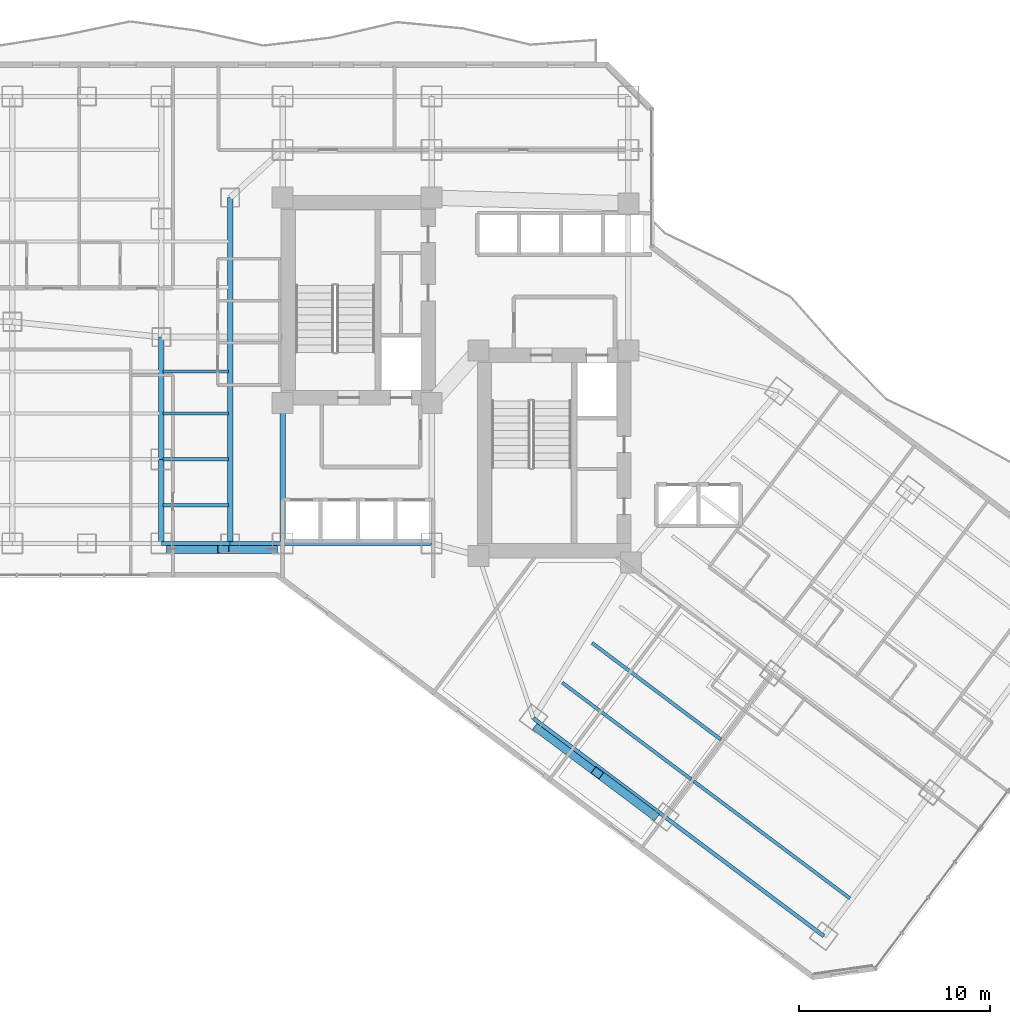
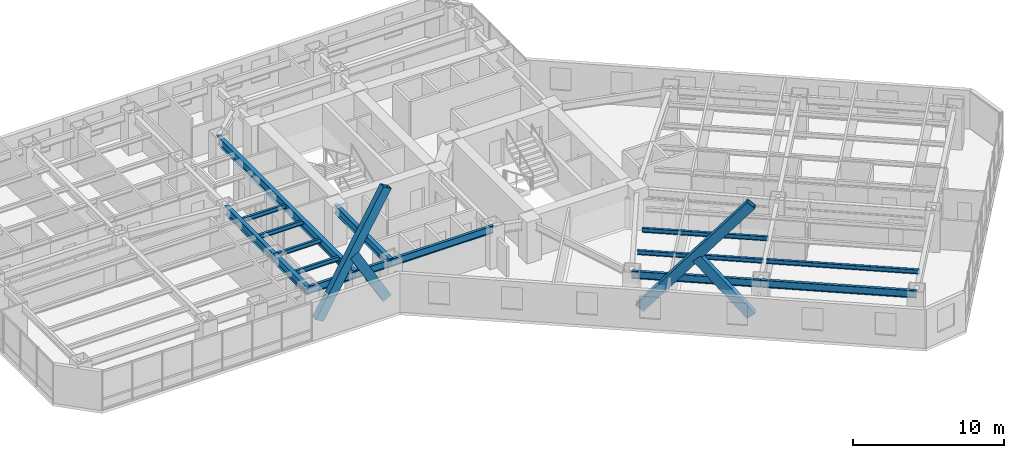
# One storey, part 7 of 33: 16 beams, 4 members.
"""IFC4 building model written with IfcOpenShell, lengths in metres."""

from ifc_helpers import new_model, si_unit, direction, frame, origin, origin_2d, place, context, subcontext, project, spatial, hollow_rectangle, i_section, extrude, material, material_profile, profile_set, type_object, element, save


model = new_model("IFC4")

# Units and contexts
model_context = context("Model", 3, precision=1e-05, world=origin(), true_north=direction((0.0, 1.0)))
body_context = subcontext(model_context, "Body", "Model", "MODEL_VIEW")
ifc_project = project(units=[si_unit("LENGTHUNIT", "METRE"), si_unit("AREAUNIT", "SQUARE_METRE"), si_unit("VOLUMEUNIT", "CUBIC_METRE"), si_unit("PLANEANGLEUNIT", "RADIAN"), si_unit("MASSUNIT", "GRAM", prefix="KILO")], contexts=[model_context])

# Site, building, storey
site_placement = place(None, origin())
site = spatial("IfcSite", under=ifc_project, at=site_placement, CompositionType="ELEMENT")
building_placement = place(site_placement, origin())
building = spatial("IfcBuilding", under=site, at=building_placement, Name="Hatsunagi Terrace Concourse", CompositionType="ELEMENT")
storey_placement = place(building_placement, frame((0.0, 0.0, 43.300048828125)))
storey = spatial("IfcBuildingStorey", under=building, at=storey_placement, Name="L10", CompositionType="ELEMENT", Elevation=43.300048828125)

# Beams
ifc_material_1 = material(Name="Steel SN490B", Category="steel")
ifc_material_profile_1 = material_profile(ifc_material_1, i_section(OverallWidth=0.300048828125, OverallDepth=0.699951171875, WebThickness=0.012939453125, FlangeThickness=0.02392578125, FilletRadius=0.02197265625, at=origin_2d()), Name="H-700x300x13x24")
ifc_profile_set_1 = profile_set([ifc_material_profile_1], Name="Steel SN490B")
beam_type_1 = type_object("IfcBeamType", Name="HotelFloorGirder_H_700x300", PredefinedType="BEAM", material=ifc_profile_set_1)
beam_1_placement = place(storey_placement, frame((25.550048828125, 25.199951171875, 2.780029296875), z_axis=(0.0, 1.0, 0.0), x_axis=(-1.0, 0.0, 0.0)))
element("IfcBeam", 1, at=beam_1_placement, inside=storey, type_object=beam_type_1, Name="Beam G-04 BM-L10-K1CA", PredefinedType="BEAM", context=body_context, shape_type="SweptSolid", body=[
    extrude(i_section(OverallWidth=0.300048828125, OverallDepth=0.699951171875, WebThickness=0.012939453125, FlangeThickness=0.02392578125, FilletRadius=0.02197265625, at=origin_2d()), origin(), (0.0, 0.0, 1.0), 7.35009765625),
])
beam_2_placement = place(storey_placement, frame((22.800048828125, 25.199951171875, 2.780029296875), z_axis=(0.0, 1.0, 0.0), x_axis=(-1.0, 0.0, 0.0)))
element("IfcBeam", 2, at=beam_2_placement, inside=storey, type_object=beam_type_1, Name="Beam G-04 BM-L10-CWNS", PredefinedType="BEAM", context=body_context, shape_type="SweptSolid", body=[
    extrude(i_section(OverallWidth=0.300048828125, OverallDepth=0.699951171875, WebThickness=0.012939453125, FlangeThickness=0.02392578125, FilletRadius=0.02197265625, at=origin_2d()), origin(), (0.0, 0.0, 1.0), 18.10009765625),
])
beam_3_placement = place(storey_placement, frame((19.199951171875, 25.199951171875, 2.780029296875), z_axis=(0.0, 1.0, 0.0), x_axis=(-1.0, 0.0, 0.0)))
element("IfcBeam", 3, at=beam_3_placement, inside=storey, type_object=beam_type_1, Name="Beam G-04 BM-L10-NS-19-25", PredefinedType="BEAM", context=body_context, shape_type="SweptSolid", body=[
    extrude(i_section(OverallWidth=0.300048828125, OverallDepth=0.699951171875, WebThickness=0.012939453125, FlangeThickness=0.02392578125, FilletRadius=0.02197265625, at=origin_2d()), origin(), (0.0, 0.0, 1.0), 4.400146484375),
])
beam_4_placement = place(storey_placement, frame((19.199951171875, 29.60009765625, 2.780029296875), z_axis=(0.0, 1.0, 0.0), x_axis=(-1.0, 0.0, 0.0)))
element("IfcBeam", 4, at=beam_4_placement, inside=storey, type_object=beam_type_1, Name="Beam G-04 BM-L10-NS-19-29", PredefinedType="BEAM", context=body_context, shape_type="SweptSolid", body=[
    extrude(i_section(OverallWidth=0.300048828125, OverallDepth=0.699951171875, WebThickness=0.012939453125, FlangeThickness=0.02392578125, FilletRadius=0.02197265625, at=origin_2d()), origin(), (0.0, 0.0, 1.0), 6.39990234375),
])
ifc_material_2 = material(Name="Steel SN490B", Category="steel")
ifc_material_profile_2 = material_profile(ifc_material_2, i_section(OverallWidth=0.175048828125, OverallDepth=0.35009765625, WebThickness=0.007080078125, FlangeThickness=0.010986328125, FilletRadius=0.012939453125, at=origin_2d()), Name="H-350x175x7x11")
ifc_profile_set_2 = profile_set([ifc_material_profile_2], Name="Steel SN490B")
beam_type_2 = type_object("IfcBeamType", Name="HotelJoist_H_350x175", PredefinedType="JOIST", material=ifc_profile_set_2)
for number, where, z_axis, x_axis, name in (
    (5, (19.284912109375, 27.199951171875, 2.954833984375), (1.0, 0.0, 0.0), (0.0, 1.0, 0.0), "Beam J-02 J-L10-W-19-272"),
    (6, (19.284912109375, 29.60009765625, 2.954833984375), (1.0, 0.0, 0.0), (0.0, 1.0, 0.0), "Beam J-02 J-L10-W-19-296"),
    (7, (19.284912109375, 32.0, 2.954833984375), (1.0, 0.0, 0.0), (0.0, 1.0, 0.0), "Beam J-02 J-L10-W-19-320"),
    (8, (19.284912109375, 34.199951171875, 2.954833984375), (1.0, 0.0, 0.0), (0.0, 1.0, 0.0), "Beam J-02 J-L10-W-19-342"),
):
    element("IfcBeam", number, at=place(storey_placement, frame(where, z_axis=z_axis, x_axis=x_axis)), inside=storey, type_object=beam_type_2, Name=name, PredefinedType="JOIST", context=body_context, shape_type="SweptSolid", body=[
        extrude(i_section(OverallWidth=0.175048828125, OverallDepth=0.35009765625, WebThickness=0.007080078125, FlangeThickness=0.010986328125, FilletRadius=0.012939453125, at=origin_2d()), origin(), (0.0, 0.0, 1.0), 3.43017578125),
    ])
for number, where, z_axis, x_axis, name in (
    (9, (40.18798828125, 17.908935546875, 2.954833984375), (0.800003475366, -0.59999536615, 0.0), (0.59999536615, 0.800003475366, 0.0), "Beam J-02 J-L10-SE-2-46"),
    (10, (41.748046875, 19.989013671875, 2.954833984375), (0.799989573921, -0.600013901187, 0.0), (0.600013901187, 0.799989573921, 0.0), "Beam J-02 J-L10-SE-2-72"),
):
    element("IfcBeam", number, at=place(storey_placement, frame(where, z_axis=z_axis, x_axis=x_axis)), inside=storey, type_object=beam_type_2, Name=name, PredefinedType="JOIST", context=body_context, shape_type="SweptSolid", body=[
        extrude(i_section(OverallWidth=0.175048828125, OverallDepth=0.35009765625, WebThickness=0.007080078125, FlangeThickness=0.010986328125, FilletRadius=0.012939453125, at=origin_2d()), origin(), (0.0, 0.0, 1.0), 8.429931640625),
    ])
beam_5_placement = place(storey_placement, frame((47.068115234375, 12.7490234375, 2.954833984375), z_axis=(0.799997136125, -0.600003818481, 0.0), x_axis=(0.600003818481, 0.799997136125, 0.0)))
element("IfcBeam", 11, at=beam_5_placement, inside=storey, type_object=beam_type_2, Name="Beam J-02 J-L10-SE-3-46", PredefinedType="JOIST", context=body_context, shape_type="SweptSolid", body=[
    extrude(i_section(OverallWidth=0.175048828125, OverallDepth=0.35009765625, WebThickness=0.007080078125, FlangeThickness=0.010986328125, FilletRadius=0.012939453125, at=origin_2d()), origin(), (0.0, 0.0, 1.0), 10.229736328125),
])
ifc_material_3 = material(Name="Steel SN490B", Category="steel")
ifc_material_profile_3 = material_profile(ifc_material_3, i_section(OverallWidth=0.199951171875, OverallDepth=0.60009765625, WebThickness=0.010986328125, FlangeThickness=0.01708984375, FilletRadius=0.01806640625, at=origin_2d()), Name="H-600x200x11x17")
ifc_profile_set_3 = profile_set([ifc_material_profile_3], Name="Steel SN490B")
beam_type_3 = type_object("IfcBeamType", Name="PerimeterSpandrel_H_600x200", PredefinedType="SPANDREL", material=ifc_profile_set_3)
beam_6_placement = place(storey_placement, frame((19.199951171875, 25.199951171875, 2.829833984375), z_axis=(1.0, 0.0, 0.0), x_axis=(0.0, 1.0, 0.0)))
element("IfcBeam", 12, at=beam_6_placement, inside=storey, type_object=beam_type_3, Name="Beam SP-01 BM-L10-WS-19", PredefinedType="SPANDREL", context=body_context, shape_type="SweptSolid", body=[
    extrude(i_section(OverallWidth=0.199951171875, OverallDepth=0.60009765625, WebThickness=0.010986328125, FlangeThickness=0.01708984375, FilletRadius=0.01806640625, at=origin_2d()), origin(), (0.0, 0.0, 1.0), 3.60009765625),
])
beam_7_placement = place(storey_placement, frame((22.800048828125, 25.199951171875, 2.829833984375), z_axis=(1.0, 0.0, 0.0), x_axis=(0.0, 1.0, 0.0)))
element("IfcBeam", 13, at=beam_7_placement, inside=storey, type_object=beam_type_3, Name="Beam SP-01 BM-L10-WS-22", PredefinedType="SPANDREL", context=body_context, shape_type="SweptSolid", body=[
    extrude(i_section(OverallWidth=0.199951171875, OverallDepth=0.60009765625, WebThickness=0.010986328125, FlangeThickness=0.01708984375, FilletRadius=0.01806640625, at=origin_2d()), origin(), (0.0, 0.0, 1.0), 2.75),
])
beam_8_placement = place(storey_placement, frame((25.550048828125, 25.199951171875, 2.829833984375), z_axis=(1.0, 0.0, 0.0), x_axis=(0.0, 1.0, 0.0)))
element("IfcBeam", 14, at=beam_8_placement, inside=storey, type_object=beam_type_3, Name="Beam SP-01 BM-L10-WS-25", PredefinedType="SPANDREL", context=body_context, shape_type="SweptSolid", body=[
    extrude(i_section(OverallWidth=0.199951171875, OverallDepth=0.60009765625, WebThickness=0.010986328125, FlangeThickness=0.01708984375, FilletRadius=0.01806640625, at=origin_2d()), origin(), (0.0, 0.0, 1.0), 7.800048828125),
])
beam_9_placement = place(storey_placement, frame((38.679931640625, 16.0400390625, 2.829833984375), z_axis=(0.799996593451, -0.600004542038, 0.0), x_axis=(0.600004542038, 0.799996593451, 0.0)))
element("IfcBeam", 15, at=beam_9_placement, inside=storey, type_object=beam_type_3, Name="Beam SP-01 BM-L10-SE-SW2", PredefinedType="SPANDREL", context=body_context, shape_type="SweptSolid", body=[
    extrude(i_section(OverallWidth=0.199951171875, OverallDepth=0.60009765625, WebThickness=0.010986328125, FlangeThickness=0.01708984375, FilletRadius=0.01806640625, at=origin_2d()), origin(), (0.0, 0.0, 1.0), 8.60009765625),
])
beam_10_placement = place(storey_placement, frame((45.56005859375, 10.8798828125, 2.829833984375), z_axis=(0.799994365871, -0.600007512099, 0.0), x_axis=(0.600007512099, 0.799994365871, 0.0)))
element("IfcBeam", 16, at=beam_10_placement, inside=storey, type_object=beam_type_3, Name="Beam SP-01 BM-L10-SE-SW3", PredefinedType="SPANDREL", context=body_context, shape_type="SweptSolid", body=[
    extrude(i_section(OverallWidth=0.199951171875, OverallDepth=0.60009765625, WebThickness=0.010986328125, FlangeThickness=0.01708984375, FilletRadius=0.01806640625, at=origin_2d()), origin(), (0.0, 0.0, 1.0), 10.39990234375),
])

# Members
ifc_material_4 = material(Name="Steel SN490B", Category="steel")
ifc_material_profile_4 = material_profile(ifc_material_4, hollow_rectangle(XDim=0.449951171875, YDim=0.699951171875, WallThickness=0.028076171875, at=origin_2d()), Name="RHS-700x450x28")
ifc_profile_set_4 = profile_set([ifc_material_profile_4], Name="Steel SN490B")
member_type = type_object("IfcMemberType", Name="PerimeterXBrace_Lower_RHS_700x450x28", PredefinedType="BRACE", material=ifc_profile_set_4)
member_1_placement = place(storey_placement, frame((19.77490234375, 24.89990234375, 0.43994140625), z_axis=(0.502384720324, 0.0, 0.864644200111), x_axis=(0.0, 1.0, 0.0)))
element("IfcMember", 17, at=member_1_placement, inside=storey, type_object=member_type, Name="Perimeter X-Brace XB-01 XB-L10-W1A", PredefinedType="BRACE", context=body_context, shape_type="SweptSolid", body=[
    extrude(hollow_rectangle(XDim=0.449951171875, YDim=0.699951171875, WallThickness=0.028076171875, at=origin_2d()), origin(), (0.0, 0.0, 1.0), 10.35107421875),
])
member_2_placement = place(storey_placement, frame((22.445068359375, 24.89990234375, 4.7939453125), z_axis=(0.50241736454, 0.0, -0.864625231999), x_axis=(0.0, 1.0, 0.0)))
element("IfcMember", 18, at=member_2_placement, inside=storey, type_object=member_type, Name="Perimeter X-Brace Split Lower XB-01 XB-L10-W1B2", PredefinedType="BRACE", context=body_context, shape_type="SweptSolid", body=[
    extrude(hollow_rectangle(XDim=0.449951171875, YDim=0.699951171875, WallThickness=0.028076171875, at=origin_2d()), origin(), (0.0, 0.0, 1.0), 5.03564453125),
])
member_3_placement = place(storey_placement, frame((38.971923828125, 15.470947265625, 0.43994140625), z_axis=(0.511809244971, -0.383856933728, 0.768573452047), x_axis=(0.6, 0.8, 0.0)))
element("IfcMember", 19, at=member_3_placement, inside=storey, type_object=member_type, Name="Perimeter X-Brace XB-01 XB-L10-SEA", PredefinedType="BRACE", context=body_context, shape_type="SweptSolid", body=[
    extrude(hollow_rectangle(XDim=0.449951171875, YDim=0.699951171875, WallThickness=0.028076171875, at=origin_2d()), origin(), (0.0, 0.0, 1.0), 11.644775390625),
])
member_4_placement = place(storey_placement, frame((42.02392578125, 13.181884765625, 4.806884765625), z_axis=(0.511802980959, -0.383841493485, -0.768585334599), x_axis=(0.599989253469, 0.800008059786, 0.0)))
element("IfcMember", 20, at=member_4_placement, inside=storey, type_object=member_type, Name="Perimeter X-Brace Split Lower XB-01 XB-L10-SEB2", PredefinedType="BRACE", context=body_context, shape_type="SweptSolid", body=[
    extrude(hollow_rectangle(XDim=0.449951171875, YDim=0.699951171875, WallThickness=0.028076171875, at=origin_2d()), origin(), (0.0, 0.0, 1.0), 5.681884765625),
])

save(model, "model.ifc")
